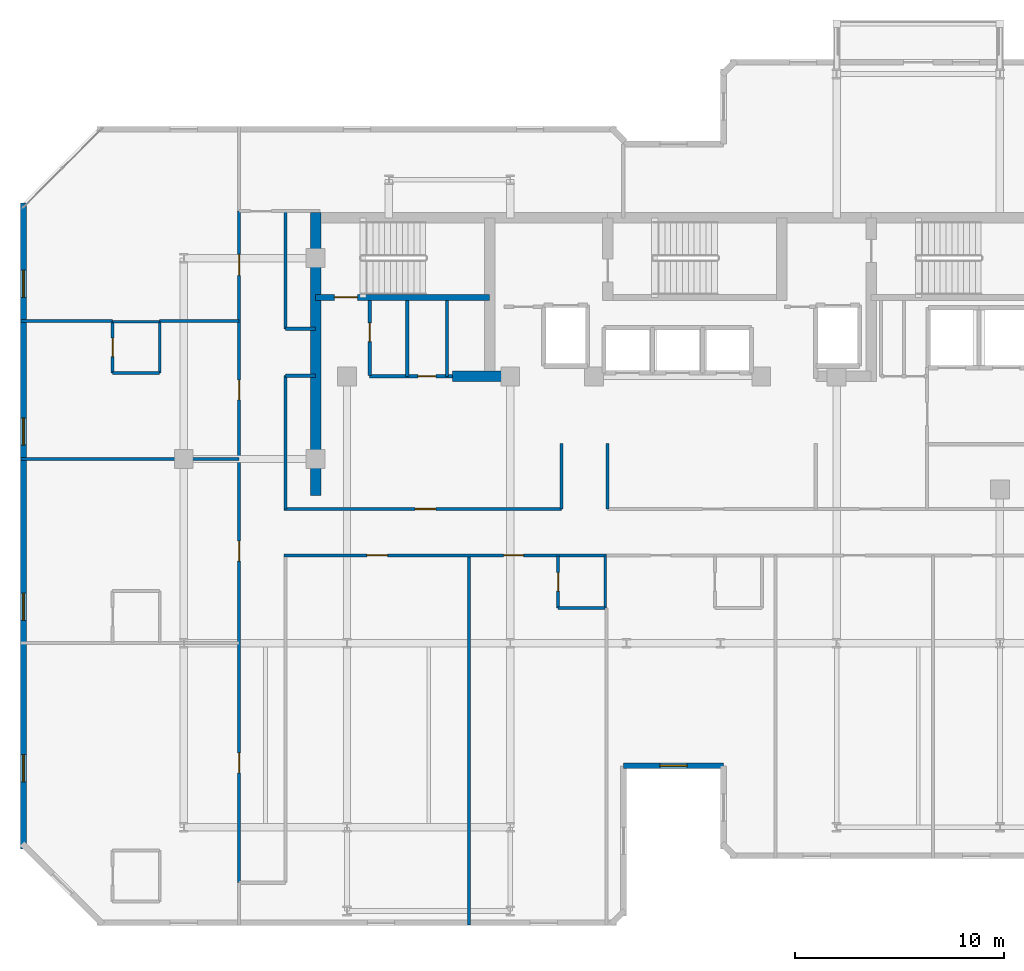
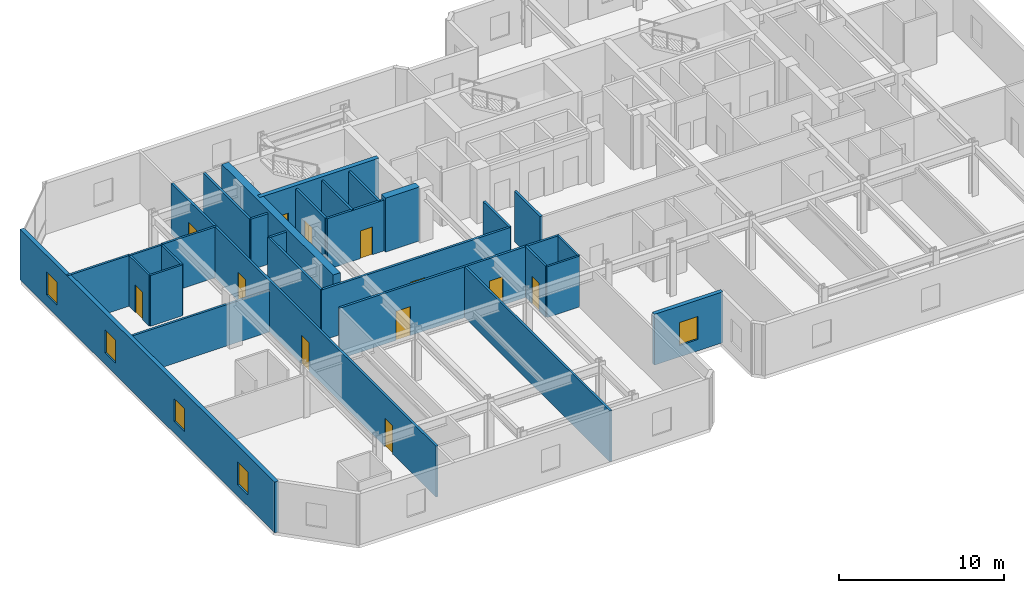
# One storey, part 4 of 9: 29 walls, 12 doors, 5 windows, 17 openings.
"""IFC4 building model written with IfcOpenShell, lengths in metres."""

from ifc_helpers import new_model, si_unit, direction, frame, frame_2d, origin, place, context, subcontext, project, spatial, rectangle, extrude, material, layer, layer_set, type_object, element, fill, save


model = new_model("IFC4")

# Units and contexts
model_context = context("Model", 3, precision=1e-05, world=origin(), true_north=direction((0.0, 1.0)))
body_context = subcontext(model_context, "Body", "Model", "MODEL_VIEW")
ifc_project = project(units=[si_unit("LENGTHUNIT", "METRE"), si_unit("AREAUNIT", "SQUARE_METRE"), si_unit("VOLUMEUNIT", "CUBIC_METRE"), si_unit("PLANEANGLEUNIT", "RADIAN"), si_unit("MASSUNIT", "GRAM", prefix="KILO")], contexts=[model_context])

# Site, building, storey
site_placement = place(None, origin())
site = spatial("IfcSite", under=ifc_project, at=site_placement, CompositionType="ELEMENT")
building_placement = place(site_placement, origin())
building = spatial("IfcBuilding", under=site, at=building_placement, Name="Kestravale Grand Hotel", CompositionType="ELEMENT")
storey_placement = place(building_placement, frame((0.0, 0.0, 257.39990234375)))
storey = spatial("IfcBuildingStorey", under=building, at=storey_placement, Name="L64", CompositionType="ELEMENT", Elevation=257.39990234375)

# Walls
ifc_material_1 = material(Name="Concrete f'c 50 MPa", Category="concrete")
ifc_layer_1 = layer(ifc_material_1, 0.5)
ifc_layer_set_1 = layer_set([ifc_layer_1], Name="EW-CORE-500")
wall_type_1 = type_object("IfcWallType", Name="EW-CORE-500", PredefinedType="SHEAR", material=ifc_layer_set_1)
wall_1_placement = place(storey_placement, frame((21.89990234375, 27.050048828125, 0.0), z_axis=(0.0, 0.0, 1.0), x_axis=(0.0, 1.0, 0.0)))
element("IfcWall", 1, at=wall_1_placement, inside=storey, type_object=wall_type_1, Name="L64 core shear wall W1", PredefinedType="SHEAR", context=body_context, shape_type="SweptSolid", body=[
    extrude(rectangle(XDim=13.52001953125, YDim=0.5, at=frame_2d((6.760009765625, 0.0))), origin(), (0.0, 0.0, 1.0), 4.0),
])
wall_2_placement = place(storey_placement, frame((28.449951171875, 32.75, 0.0), z_axis=(0.0, 0.0, 1.0), x_axis=(1.0, 0.0, 0.0)))
element("IfcWall", 2, at=wall_2_placement, inside=storey, type_object=wall_type_1, Name="L64 core shear wall S1", PredefinedType="SHEAR", context=body_context, shape_type="SweptSolid", body=[
    extrude(rectangle(XDim=2.400146484375, YDim=0.5, at=frame_2d((1.2001953125, 0.0))), origin(), (0.0, 0.0, 1.0), 4.0),
])

# Wall, opening, window
ifc_material_2 = material(Name="Precast concrete f'c 45 MPa", Category="concrete")
ifc_layer_2 = layer(ifc_material_2, 0.280029296875)
ifc_layer_set_2 = layer_set([ifc_layer_2], Name="EW-PREC-280")
wall_type_2 = type_object("IfcWallType", Name="EW-PREC-280", PredefinedType="SOLIDWALL", material=ifc_layer_set_2)
wall_3_placement = place(storey_placement, frame((36.610107421875, 14.139892578125, 0.0), z_axis=(0.0, 0.0, 1.0), x_axis=(1.0, 0.0, 0.0)))
wall_3 = element("IfcWall", 3, at=wall_3_placement, inside=storey, type_object=wall_type_2, Name="L64 fluted precast facade wall 4", PredefinedType="SOLIDWALL", context=body_context, shape_type="SweptSolid", body=[
    extrude(rectangle(XDim=4.77978515625, YDim=0.280029296875, at=frame_2d((2.389892578125, 0.0))), origin(), (0.0, 0.0, 1.0), 3.760009765625),
])
opening_1_placement = place(wall_3_placement, frame((1.739990234375, 0.0, 0.85009765625)))
opening_1 = element("IfcOpeningElement", 4, at=opening_1_placement, cuts=wall_3, Name="Opening W-GUEST-1300", PredefinedType="OPENING", context=body_context, shape_type="SweptSolid", body=[
    extrude(rectangle(XDim=1.300048828125, YDim=1.699951171875, at=frame_2d((0.64990234375, 0.85009765625))), frame((0.0, 0.14990234375, 0.0), z_axis=(0.0, -1.0, 0.0), x_axis=(1.0, 0.0, 0.0)), (0.0, 0.0, 1.0), 0.300048828125),
])
ifc_material_3 = material(Name="Insulated low-E double glazing in aluminium frame", Category="aluminium")
window_type = type_object("IfcWindowType", Name="W-GUEST-1300", PartitioningType="SINGLE_PANEL", PredefinedType="WINDOW", material=ifc_material_3)
window_1_placement = place(opening_1_placement, origin())
window_1 = element("IfcWindow", 5, at=window_1_placement, inside=storey, type_object=window_type, Name="L64 exterior window 4.1", OverallHeight=1.699951171875, OverallWidth=1.300048828125, PartitioningType="SINGLE_PANEL", PredefinedType="WINDOW", context=body_context, shape_type="SweptSolid", body=[
    extrude(rectangle(XDim=1.300048828125, YDim=1.699951171875, at=frame_2d((0.64990234375, 0.85009765625))), frame((0.0, 0.030029296875, 0.0), z_axis=(0.0, -1.0, 0.0), x_axis=(1.0, 0.0, 0.0)), (0.0, 0.0, 1.0), 0.06005859375),
])
fill(opening_1, window_1)

# Wall, openings, windows
wall_4_placement = place(storey_placement, frame((7.93994140625, 41.0400390625, 0.0), z_axis=(0.0, 0.0, 1.0), x_axis=(0.0, -1.0, 0.0)))
wall_4 = element("IfcWall", 6, at=wall_4_placement, inside=storey, type_object=wall_type_2, Name="L64 fluted precast facade wall 19", PredefinedType="SOLIDWALL", context=body_context, shape_type="SweptSolid", body=[
    extrude(rectangle(XDim=30.880126953125, YDim=0.280029296875, at=frame_2d((15.43994140625, 0.0))), origin(), (0.0, 0.0, 1.0), 3.760009765625),
])
opening_2_placement = place(wall_4_placement, frame((3.2099609375, 0.0, 0.85009765625)))
opening_2 = element("IfcOpeningElement", 7, at=opening_2_placement, cuts=wall_4, Name="Opening W-GUEST-1300", PredefinedType="OPENING", context=body_context, shape_type="SweptSolid", body=[
    extrude(rectangle(XDim=1.300048828125, YDim=1.699951171875, at=frame_2d((0.64990234375, 0.85009765625))), frame((0.0, 0.14990234375, 0.0), z_axis=(0.0, -1.0, 0.0), x_axis=(1.0, 0.0, 0.0)), (0.0, 0.0, 1.0), 0.300048828125),
])
opening_3_placement = place(wall_4_placement, frame((10.280029296875, 0.0, 0.85009765625)))
opening_3 = element("IfcOpeningElement", 8, at=opening_3_placement, cuts=wall_4, Name="Opening W-GUEST-1300", PredefinedType="OPENING", context=body_context, shape_type="SweptSolid", body=[
    extrude(rectangle(XDim=1.300048828125, YDim=1.699951171875, at=frame_2d((0.64990234375, 0.85009765625))), frame((0.0, 0.14990234375, 0.0), z_axis=(0.0, -1.0, 0.0), x_axis=(1.0, 0.0, 0.0)), (0.0, 0.0, 1.0), 0.300048828125),
])
opening_4_placement = place(wall_4_placement, frame((18.64990234375, 0.0, 0.85009765625)))
opening_4 = element("IfcOpeningElement", 9, at=opening_4_placement, cuts=wall_4, Name="Opening W-GUEST-1300", PredefinedType="OPENING", context=body_context, shape_type="SweptSolid", body=[
    extrude(rectangle(XDim=1.300048828125, YDim=1.699951171875, at=frame_2d((0.64990234375, 0.85009765625))), frame((0.0, 0.14990234375, 0.0), z_axis=(0.0, -1.0, 0.0), x_axis=(1.0, 0.0, 0.0)), (0.0, 0.0, 1.0), 0.300048828125),
])
opening_5_placement = place(wall_4_placement, frame((26.3701171875, 0.0, 0.85009765625)))
opening_5 = element("IfcOpeningElement", 10, at=opening_5_placement, cuts=wall_4, Name="Opening W-GUEST-1300", PredefinedType="OPENING", context=body_context, shape_type="SweptSolid", body=[
    extrude(rectangle(XDim=1.300048828125, YDim=1.699951171875, at=frame_2d((0.64990234375, 0.85009765625))), frame((0.0, 0.14990234375, 0.0), z_axis=(0.0, -1.0, 0.0), x_axis=(1.0, 0.0, 0.0)), (0.0, 0.0, 1.0), 0.300048828125),
])
window_2_placement = place(opening_2_placement, origin())
window_2 = element("IfcWindow", 11, at=window_2_placement, inside=storey, type_object=window_type, Name="L64 exterior window 19.1", OverallHeight=1.699951171875, OverallWidth=1.300048828125, PartitioningType="SINGLE_PANEL", PredefinedType="WINDOW", context=body_context, shape_type="SweptSolid", body=[
    extrude(rectangle(XDim=1.300048828125, YDim=1.699951171875, at=frame_2d((0.64990234375, 0.85009765625))), frame((0.0, 0.030029296875, 0.0), z_axis=(0.0, -1.0, 0.0), x_axis=(1.0, 0.0, 0.0)), (0.0, 0.0, 1.0), 0.06005859375),
])
fill(opening_2, window_2)
window_3_placement = place(opening_3_placement, origin())
window_3 = element("IfcWindow", 12, at=window_3_placement, inside=storey, type_object=window_type, Name="L64 exterior window 19.2", OverallHeight=1.699951171875, OverallWidth=1.300048828125, PartitioningType="SINGLE_PANEL", PredefinedType="WINDOW", context=body_context, shape_type="SweptSolid", body=[
    extrude(rectangle(XDim=1.300048828125, YDim=1.699951171875, at=frame_2d((0.64990234375, 0.85009765625))), frame((0.0, 0.030029296875, 0.0), z_axis=(0.0, -1.0, 0.0), x_axis=(1.0, 0.0, 0.0)), (0.0, 0.0, 1.0), 0.06005859375),
])
fill(opening_3, window_3)
window_4_placement = place(opening_4_placement, origin())
window_4 = element("IfcWindow", 13, at=window_4_placement, inside=storey, type_object=window_type, Name="L64 exterior window 19.3", OverallHeight=1.699951171875, OverallWidth=1.300048828125, PartitioningType="SINGLE_PANEL", PredefinedType="WINDOW", context=body_context, shape_type="SweptSolid", body=[
    extrude(rectangle(XDim=1.300048828125, YDim=1.699951171875, at=frame_2d((0.64990234375, 0.85009765625))), frame((0.0, 0.030029296875, 0.0), z_axis=(0.0, -1.0, 0.0), x_axis=(1.0, 0.0, 0.0)), (0.0, 0.0, 1.0), 0.06005859375),
])
fill(opening_4, window_4)
window_5_placement = place(opening_5_placement, origin())
window_5 = element("IfcWindow", 14, at=window_5_placement, inside=storey, type_object=window_type, Name="L64 exterior window 19.4", OverallHeight=1.699951171875, OverallWidth=1.300048828125, PartitioningType="SINGLE_PANEL", PredefinedType="WINDOW", context=body_context, shape_type="SweptSolid", body=[
    extrude(rectangle(XDim=1.300048828125, YDim=1.699951171875, at=frame_2d((0.64990234375, 0.85009765625))), frame((0.0, 0.030029296875, 0.0), z_axis=(0.0, -1.0, 0.0), x_axis=(1.0, 0.0, 0.0)), (0.0, 0.0, 1.0), 0.06005859375),
])
fill(opening_5, window_5)

# Wall, opening, door
ifc_material_4 = material(Name="Concrete f'c 45 MPa", Category="concrete")
ifc_layer_3 = layer(ifc_material_4, 0.300048828125)
ifc_layer_set_3 = layer_set([ifc_layer_3], Name="EW-STAIR-300")
wall_type_3 = type_object("IfcWallType", Name="EW-STAIR-300", PredefinedType="SHEAR", material=ifc_layer_set_3)
wall_5_placement = place(storey_placement, frame((21.89990234375, 36.52001953125, 0.0), z_axis=(0.0, 0.0, 1.0), x_axis=(1.0, 0.0, 0.0)))
wall_5 = element("IfcWall", 15, at=wall_5_placement, inside=storey, type_object=wall_type_3, Name="L64 stair enclosure shear wall SST1", PredefinedType="SHEAR", context=body_context, shape_type="SweptSolid", body=[
    extrude(rectangle(XDim=8.320068359375, YDim=0.300048828125, at=frame_2d((4.16015625, 0.0))), origin(), (0.0, 0.0, 1.0), 4.0),
])
opening_6_placement = place(wall_5_placement, frame((0.89990234375, 0.0, 0.0)))
opening_6 = element("IfcOpeningElement", 16, at=opening_6_placement, cuts=wall_5, Name="Opening D-ST-1100", PredefinedType="OPENING", context=body_context, shape_type="SweptSolid", body=[
    extrude(rectangle(XDim=1.10009765625, YDim=2.14990234375, at=frame_2d((0.550048828125, 1.074951171875))), frame((0.0, 0.159912109375, 0.0), z_axis=(0.0, -1.0, 0.0), x_axis=(1.0, 0.0, 0.0)), (0.0, 0.0, 1.0), 0.320068359375),
])
ifc_material_5 = material(Name="Galvanised 90-minute fire-rated steel stair door", Category="steel")
door_type_1 = type_object("IfcDoorType", Name="D-ST-1100", OperationType="NOTDEFINED", PredefinedType="DOOR", material=ifc_material_5)
door_1_placement = place(opening_6_placement, origin())
door_1 = element("IfcDoor", 17, at=door_1_placement, inside=storey, type_object=door_type_1, Name="L64 Stair ST-1 fire door", OperationType="SINGLE_SWING_RIGHT", OverallHeight=2.14990234375, OverallWidth=1.10009765625, PredefinedType="DOOR", context=body_context, shape_type="SweptSolid", body=[
    extrude(rectangle(XDim=1.10009765625, YDim=2.14990234375, at=frame_2d((0.550048828125, 1.074951171875))), frame((0.0, 0.02490234375, 0.0), z_axis=(0.0, -1.0, 0.0), x_axis=(1.0, 0.0, 0.0)), (0.0, 0.0, 1.0), 0.050048828125),
])
fill(opening_6, door_1)

ifc_material_6 = material(Name="Acoustic fire-rated gypsum board partition", Category="other")
ifc_layer_4 = layer(ifc_material_6, 0.159912109375)
ifc_layer_set_4 = layer_set([ifc_layer_4], Name="IW-CORR-160")
wall_type_4 = type_object("IfcWallType", Name="IW-CORR-160", PredefinedType="PARTITIONING", material=ifc_layer_set_4)
wall_6_placement = place(storey_placement, frame((24.47998046875, 32.800048828125, 0.0), z_axis=(0.0, 0.0, 1.0), x_axis=(0.0, 1.0, 0.0)))
wall_6 = element("IfcWall", 18, at=wall_6_placement, inside=storey, type_object=wall_type_4, Name="L64 west core vestibule wall", PredefinedType="PARTITIONING", context=body_context, shape_type="SweptSolid", body=[
    extrude(rectangle(XDim=3.570068359375, YDim=0.159912109375, at=frame_2d((1.78515625, 0.0))), origin(), (0.0, 0.0, 1.0), 3.760009765625),
])
opening_7_placement = place(wall_6_placement, frame((1.603515625, 0.0, 0.0)))
opening_7 = element("IfcOpeningElement", 19, at=opening_7_placement, cuts=wall_6, Name="Opening D-SH-900", PredefinedType="OPENING", context=body_context, shape_type="SweptSolid", body=[
    extrude(rectangle(XDim=0.89990234375, YDim=2.10009765625, at=frame_2d((0.449951171875, 1.050048828125))), frame((0.0, 0.08984375, 0.0), z_axis=(0.0, -1.0, 0.0), x_axis=(1.0, 0.0, 0.0)), (0.0, 0.0, 1.0), 0.179931640625),
])
ifc_material_7 = material(Name="Galvanised 90-minute shaft and service fire door", Category="steel")
door_type_2 = type_object("IfcDoorType", Name="D-SH-900", OperationType="NOTDEFINED", PredefinedType="DOOR", material=ifc_material_7)
door_2_placement = place(opening_7_placement, origin())
door_2 = element("IfcDoor", 20, at=door_2_placement, inside=storey, type_object=door_type_2, Name="D-L64-HK", OperationType="SINGLE_SWING_RIGHT", OverallHeight=2.10009765625, OverallWidth=0.89990234375, PredefinedType="DOOR", context=body_context, shape_type="SweptSolid", body=[
    extrude(rectangle(XDim=0.89990234375, YDim=2.10009765625, at=frame_2d((0.449951171875, 1.050048828125))), frame((0.0, 0.02490234375, 0.0), z_axis=(0.0, -1.0, 0.0), x_axis=(1.0, 0.0, 0.0)), (0.0, 0.0, 1.0), 0.050048828125),
])
fill(opening_7, door_2)

wall_7_placement = place(storey_placement, frame((24.47998046875, 32.75, 0.0), z_axis=(0.0, 0.0, 1.0), x_axis=(1.0, 0.0, 0.0)))
wall_7 = element("IfcWall", 21, at=wall_7_placement, inside=storey, type_object=wall_type_4, Name="W-L64-CWS", PredefinedType="PARTITIONING", context=body_context, shape_type="SweptSolid", body=[
    extrude(rectangle(XDim=3.969970703125, YDim=0.159912109375, at=frame_2d((1.98486328125, 0.0))), origin(), (0.0, 0.0, 1.0), 3.760009765625),
])
opening_8_placement = place(wall_7_placement, frame((2.31005859375, 0.0, 0.0)))
opening_8 = element("IfcOpeningElement", 22, at=opening_8_placement, cuts=wall_7, Name="Opening D-SH-860", PredefinedType="OPENING", context=body_context, shape_type="SweptSolid", body=[
    extrude(rectangle(XDim=0.860107421875, YDim=2.050048828125, at=frame_2d((0.43017578125, 1.02490234375))), frame((0.0, 0.08984375, 0.0), z_axis=(0.0, -1.0, 0.0), x_axis=(1.0, 0.0, 0.0)), (0.0, 0.0, 1.0), 0.179931640625),
])
ifc_material_8 = material(Name="Galvanised 90-minute riser fire door", Category="steel")
door_type_3 = type_object("IfcDoorType", Name="D-SH-860", OperationType="NOTDEFINED", PredefinedType="DOOR", material=ifc_material_8)
door_3_placement = place(opening_8_placement, origin())
door_3 = element("IfcDoor", 23, at=door_3_placement, inside=storey, type_object=door_type_3, Name="D-L64-IDF", OperationType="SINGLE_SWING_RIGHT", OverallHeight=2.050048828125, OverallWidth=0.860107421875, PredefinedType="DOOR", context=body_context, shape_type="SweptSolid", body=[
    extrude(rectangle(XDim=0.860107421875, YDim=2.050048828125, at=frame_2d((0.43017578125, 1.02490234375))), frame((0.0, 0.02490234375, 0.0), z_axis=(0.0, -1.0, 0.0), x_axis=(1.0, 0.0, 0.0)), (0.0, 0.0, 1.0), 0.050048828125),
])
fill(opening_8, door_3)

wall_8_placement = place(storey_placement, frame((20.39990234375, 26.409912109375, 0.0), z_axis=(0.0, 0.0, 1.0), x_axis=(1.0, 0.0, 0.0)))
wall_8 = element("IfcWall", 24, at=wall_8_placement, inside=storey, type_object=wall_type_4, Name="W-L64-CW-N", PredefinedType="PARTITIONING", context=body_context, shape_type="SweptSolid", body=[
    extrude(rectangle(XDim=13.25, YDim=0.159912109375, at=frame_2d((6.625, 0.0))), origin(), (0.0, 0.0, 1.0), 3.760009765625),
])
opening_9_placement = place(wall_8_placement, frame((6.25, 0.0, 0.0)))
opening_9 = element("IfcOpeningElement", 25, at=opening_9_placement, cuts=wall_8, Name="Opening D-GUEST-1000", PredefinedType="OPENING", context=body_context, shape_type="SweptSolid", body=[
    extrude(rectangle(XDim=1.0, YDim=2.14990234375, at=frame_2d((0.5, 1.074951171875))), frame((0.0, 0.08984375, 0.0), z_axis=(0.0, -1.0, 0.0), x_axis=(1.0, 0.0, 0.0)), (0.0, 0.0, 1.0), 0.179931640625),
])
ifc_material_9 = material(Name="Accessible walnut veneer hotel entrance fire door", Category="wood")
door_type_4 = type_object("IfcDoorType", Name="D-GUEST-1000", OperationType="NOTDEFINED", PredefinedType="DOOR", material=ifc_material_9)
door_4_placement = place(opening_9_placement, origin())
door_4 = element("IfcDoor", 26, at=door_4_placement, inside=storey, type_object=door_type_4, Name="D-L64-RECL-W", OperationType="SINGLE_SWING_LEFT", OverallHeight=2.14990234375, OverallWidth=1.0, PredefinedType="DOOR", context=body_context, shape_type="SweptSolid", body=[
    extrude(rectangle(XDim=1.0, YDim=2.14990234375, at=frame_2d((0.5, 1.074951171875))), frame((0.0, 0.02490234375, 0.0), z_axis=(0.0, -1.0, 0.0), x_axis=(1.0, 0.0, 0.0)), (0.0, 0.0, 1.0), 0.050048828125),
])
fill(opening_9, door_4)

# Walls
for number, where, z_axis, x_axis, name in (
    (27, (33.64990234375, 26.409912109375, 0.0), (0.0, 0.0, 1.0), (0.0, 1.0, 0.0), "W-L64-TRUNK-W"),
    (28, (35.85009765625, 26.409912109375, 0.0), (0.0, 0.0, 1.0), (0.0, 1.0, 0.0), "W-L64-TRUNK-E"),
):
    element("IfcWall", number, at=place(storey_placement, frame(where, z_axis=z_axis, x_axis=x_axis)), inside=storey, type_object=wall_type_4, Name=name, PredefinedType="PARTITIONING", context=body_context, shape_type="SweptSolid", body=[
        extrude(rectangle(XDim=3.14013671875, YDim=0.159912109375, at=frame_2d((1.570068359375, 0.0))), origin(), (0.0, 0.0, 1.0), 3.760009765625),
    ])

# Wall, openings, doors
wall_9_placement = place(storey_placement, frame((20.39990234375, 24.18994140625, 0.0), z_axis=(0.0, 0.0, 1.0), x_axis=(1.0, 0.0, 0.0)))
wall_9 = element("IfcWall", 29, at=wall_9_placement, inside=storey, type_object=wall_type_4, Name="W-L64-CW-S", PredefinedType="PARTITIONING", context=body_context, shape_type="SweptSolid", body=[
    extrude(rectangle(XDim=15.400146484375, YDim=0.159912109375, at=frame_2d((7.7001953125, 0.0))), origin(), (0.0, 0.0, 1.0), 3.760009765625),
])
opening_10_placement = place(wall_9_placement, frame((3.945068359375, 0.0, 0.0)))
opening_10 = element("IfcOpeningElement", 30, at=opening_10_placement, cuts=wall_9, Name="Opening D-GUEST-1000", PredefinedType="OPENING", context=body_context, shape_type="SweptSolid", body=[
    extrude(rectangle(XDim=1.0, YDim=2.14990234375, at=frame_2d((0.5, 1.074951171875))), frame((0.0, 0.08984375, 0.0), z_axis=(0.0, -1.0, 0.0), x_axis=(1.0, 0.0, 0.0)), (0.0, 0.0, 1.0), 0.179931640625),
])
opening_11_placement = place(wall_9_placement, frame((10.485107421875, 0.0, 0.0)))
opening_11 = element("IfcOpeningElement", 31, at=opening_11_placement, cuts=wall_9, Name="Opening D-GUEST-950", PredefinedType="OPENING", context=body_context, shape_type="SweptSolid", body=[
    extrude(rectangle(XDim=0.949951171875, YDim=2.10009765625, at=frame_2d((0.47509765625, 1.050048828125))), frame((0.0, 0.08984375, 0.0), z_axis=(0.0, -1.0, 0.0), x_axis=(1.0, 0.0, 0.0)), (0.0, 0.0, 1.0), 0.179931640625),
])
door_5_placement = place(opening_10_placement, origin())
door_5 = element("IfcDoor", 32, at=door_5_placement, inside=storey, type_object=door_type_4, Name="D-L64-AMW", OperationType="SINGLE_SWING_RIGHT", OverallHeight=2.14990234375, OverallWidth=1.0, PredefinedType="DOOR", context=body_context, shape_type="SweptSolid", body=[
    extrude(rectangle(XDim=1.0, YDim=2.14990234375, at=frame_2d((0.5, 1.074951171875))), frame((0.0, 0.02490234375, 0.0), z_axis=(0.0, -1.0, 0.0), x_axis=(1.0, 0.0, 0.0)), (0.0, 0.0, 1.0), 0.050048828125),
])
fill(opening_10, door_5)
ifc_material_10 = material(Name="Walnut veneer hotel guestroom entrance fire door", Category="wood")
door_type_5 = type_object("IfcDoorType", Name="D-GUEST-950", OperationType="NOTDEFINED", PredefinedType="DOOR", material=ifc_material_10)
door_6_placement = place(opening_11_placement, origin())
door_6 = element("IfcDoor", 33, at=door_6_placement, inside=storey, type_object=door_type_5, Name="D-L64-U01-ENT", OperationType="SINGLE_SWING_RIGHT", OverallHeight=2.10009765625, OverallWidth=0.949951171875, PredefinedType="DOOR", context=body_context, shape_type="SweptSolid", body=[
    extrude(rectangle(XDim=0.949951171875, YDim=2.10009765625, at=frame_2d((0.47509765625, 1.050048828125))), frame((0.0, 0.02490234375, 0.0), z_axis=(0.0, -1.0, 0.0), x_axis=(1.0, 0.0, 0.0)), (0.0, 0.0, 1.0), 0.050048828125),
])
fill(opening_11, door_6)

wall_10_placement = place(storey_placement, frame((18.239990234375, 8.550048828125, 0.0), z_axis=(0.0, 0.0, 1.0), x_axis=(0.0, 1.0, 0.0)))
wall_10 = element("IfcWall", 34, at=wall_10_placement, inside=storey, type_object=wall_type_4, Name="W-L64-SW-W", PredefinedType="PARTITIONING", context=body_context, shape_type="SweptSolid", body=[
    extrude(rectangle(XDim=32.099853515625, YDim=0.159912109375, at=frame_2d((16.0498046875, 0.0))), origin(), (0.0, 0.0, 1.0), 3.760009765625),
])
opening_12_placement = place(wall_10_placement, frame((5.25, 0.0, 0.0)))
opening_12 = element("IfcOpeningElement", 35, at=opening_12_placement, cuts=wall_10, Name="Opening D-GUEST-950", PredefinedType="OPENING", context=body_context, shape_type="SweptSolid", body=[
    extrude(rectangle(XDim=0.949951171875, YDim=2.10009765625, at=frame_2d((0.47509765625, 1.050048828125))), frame((0.0, 0.08984375, 0.0), z_axis=(0.0, -1.0, 0.0), x_axis=(1.0, 0.0, 0.0)), (0.0, 0.0, 1.0), 0.179931640625),
])
opening_13_placement = place(wall_10_placement, frame((15.375, 0.0, 0.0)))
opening_13 = element("IfcOpeningElement", 36, at=opening_13_placement, cuts=wall_10, Name="Opening D-GUEST-950", PredefinedType="OPENING", context=body_context, shape_type="SweptSolid", body=[
    extrude(rectangle(XDim=0.949951171875, YDim=2.10009765625, at=frame_2d((0.47509765625, 1.050048828125))), frame((0.0, 0.08984375, 0.0), z_axis=(0.0, -1.0, 0.0), x_axis=(1.0, 0.0, 0.0)), (0.0, 0.0, 1.0), 0.179931640625),
])
opening_14_placement = place(wall_10_placement, frame((23.074951171875, 0.0, 0.0)))
opening_14 = element("IfcOpeningElement", 37, at=opening_14_placement, cuts=wall_10, Name="Opening D-GUEST-950", PredefinedType="OPENING", context=body_context, shape_type="SweptSolid", body=[
    extrude(rectangle(XDim=0.949951171875, YDim=2.10009765625, at=frame_2d((0.47509765625, 1.050048828125))), frame((0.0, 0.08984375, 0.0), z_axis=(0.0, -1.0, 0.0), x_axis=(1.0, 0.0, 0.0)), (0.0, 0.0, 1.0), 0.179931640625),
])
opening_15_placement = place(wall_10_placement, frame((29.030029296875, 0.0, 0.0)))
opening_15 = element("IfcOpeningElement", 38, at=opening_15_placement, cuts=wall_10, Name="Opening D-GUEST-1000", PredefinedType="OPENING", context=body_context, shape_type="SweptSolid", body=[
    extrude(rectangle(XDim=1.0, YDim=2.14990234375, at=frame_2d((0.5, 1.074951171875))), frame((0.0, 0.08984375, 0.0), z_axis=(0.0, -1.0, 0.0), x_axis=(1.0, 0.0, 0.0)), (0.0, 0.0, 1.0), 0.179931640625),
])
door_7_placement = place(opening_15_placement, origin())
door_7 = element("IfcDoor", 39, at=door_7_placement, inside=storey, type_object=door_type_4, Name="D-L64-AMWW", OperationType="SINGLE_SWING_RIGHT", OverallHeight=2.14990234375, OverallWidth=1.0, PredefinedType="DOOR", context=body_context, shape_type="SweptSolid", body=[
    extrude(rectangle(XDim=1.0, YDim=2.14990234375, at=frame_2d((0.5, 1.074951171875))), frame((0.0, 0.02490234375, 0.0), z_axis=(0.0, -1.0, 0.0), x_axis=(1.0, 0.0, 0.0)), (0.0, 0.0, 1.0), 0.050048828125),
])
fill(opening_15, door_7)
door_8_placement = place(opening_12_placement, origin())
door_8 = element("IfcDoor", 40, at=door_8_placement, inside=storey, type_object=door_type_5, Name="D-L64-U04-ENT", OperationType="SINGLE_SWING_LEFT", OverallHeight=2.10009765625, OverallWidth=0.949951171875, PredefinedType="DOOR", context=body_context, shape_type="SweptSolid", body=[
    extrude(rectangle(XDim=0.949951171875, YDim=2.10009765625, at=frame_2d((0.47509765625, 1.050048828125))), frame((0.0, 0.02490234375, 0.0), z_axis=(0.0, -1.0, 0.0), x_axis=(1.0, 0.0, 0.0)), (0.0, 0.0, 1.0), 0.050048828125),
])
fill(opening_12, door_8)
door_9_placement = place(opening_13_placement, origin())
door_9 = element("IfcDoor", 41, at=door_9_placement, inside=storey, type_object=door_type_5, Name="D-L64-U05-ENT", OperationType="SINGLE_SWING_LEFT", OverallHeight=2.10009765625, OverallWidth=0.949951171875, PredefinedType="DOOR", context=body_context, shape_type="SweptSolid", body=[
    extrude(rectangle(XDim=0.949951171875, YDim=2.10009765625, at=frame_2d((0.47509765625, 1.050048828125))), frame((0.0, 0.02490234375, 0.0), z_axis=(0.0, -1.0, 0.0), x_axis=(1.0, 0.0, 0.0)), (0.0, 0.0, 1.0), 0.050048828125),
])
fill(opening_13, door_9)
door_10_placement = place(opening_14_placement, origin())
door_10 = element("IfcDoor", 42, at=door_10_placement, inside=storey, type_object=door_type_5, Name="D-L64-U06-ENT", OperationType="SINGLE_SWING_LEFT", OverallHeight=2.10009765625, OverallWidth=0.949951171875, PredefinedType="DOOR", context=body_context, shape_type="SweptSolid", body=[
    extrude(rectangle(XDim=0.949951171875, YDim=2.10009765625, at=frame_2d((0.47509765625, 1.050048828125))), frame((0.0, 0.02490234375, 0.0), z_axis=(0.0, -1.0, 0.0), x_axis=(1.0, 0.0, 0.0)), (0.0, 0.0, 1.0), 0.050048828125),
])
fill(opening_14, door_10)

# Walls
wall_11_placement = place(storey_placement, frame((20.4599609375, 35.02001953125, 0.0), z_axis=(0.0, 0.0, 1.0), x_axis=(0.0, 1.0, 0.0)))
element("IfcWall", 43, at=wall_11_placement, inside=storey, type_object=wall_type_4, Name="W-L64-SW-EN", PredefinedType="PARTITIONING", context=body_context, shape_type="SweptSolid", body=[
    extrude(rectangle(XDim=5.6298828125, YDim=0.159912109375, at=frame_2d((2.81494140625, 0.0))), origin(), (0.0, 0.0, 1.0), 3.760009765625),
])
for number, where, z_axis, x_axis, name in (
    (44, (20.4599609375, 35.02001953125, 0.0), (0.0, 0.0, 1.0), (1.0, 0.0, 0.0), "W-L64-SW-CN"),
    (45, (20.4599609375, 32.780029296875, 0.0), (0.0, 0.0, 1.0), (1.0, 0.0, 0.0), "W-L64-SW-CS"),
):
    element("IfcWall", number, at=place(storey_placement, frame(where, z_axis=z_axis, x_axis=x_axis)), inside=storey, type_object=wall_type_4, Name=name, PredefinedType="PARTITIONING", context=body_context, shape_type="SweptSolid", body=[
        extrude(rectangle(XDim=1.43994140625, YDim=0.159912109375, at=frame_2d((0.719970703125, 0.0))), origin(), (0.0, 0.0, 1.0), 3.760009765625),
    ])

# Wall, opening, door
ifc_material_11 = material(Name="Moisture-resistant tile-backer plumbing chase wall", Category="other")
ifc_layer_5 = layer(ifc_material_11, 0.139892578125)
ifc_layer_set_5 = layer_set([ifc_layer_5], Name="IW-PLB-140")
wall_type_5 = type_object("IfcWallType", Name="IW-PLB-140", PredefinedType="PLUMBINGWALL", material=ifc_layer_set_5)
wall_12_placement = place(storey_placement, frame((33.489990234375, 21.679931640625, 0.0), z_axis=(0.0, 0.0, 1.0), x_axis=(0.0, 1.0, 0.0)))
wall_12 = element("IfcWall", 46, at=wall_12_placement, inside=storey, type_object=wall_type_5, Name="W-L64-U01-BW", PredefinedType="PLUMBINGWALL", context=body_context, shape_type="SweptSolid", body=[
    extrude(rectangle(XDim=2.489990234375, YDim=0.139892578125, at=frame_2d((1.2451171875, 0.0))), origin(), (0.0, 0.0, 1.0), 3.760009765625),
])
opening_16_placement = place(wall_12_placement, frame((0.804931640625, 0.0, 0.0)))
opening_16 = element("IfcOpeningElement", 47, at=opening_16_placement, cuts=wall_12, Name="Opening D-BATH-880", PredefinedType="OPENING", context=body_context, shape_type="SweptSolid", body=[
    extrude(rectangle(XDim=0.8798828125, YDim=2.050048828125, at=frame_2d((0.43994140625, 1.02490234375))), frame((0.0, 0.079833984375, 0.0), z_axis=(0.0, -1.0, 0.0), x_axis=(1.0, 0.0, 0.0)), (0.0, 0.0, 1.0), 0.159912109375),
])
ifc_material_12 = material(Name="Moisture-sealed walnut en-suite bathroom door", Category="wood")
door_type_6 = type_object("IfcDoorType", Name="D-BATH-880", OperationType="NOTDEFINED", PredefinedType="DOOR", material=ifc_material_12)
door_11_placement = place(opening_16_placement, origin())
door_11 = element("IfcDoor", 48, at=door_11_placement, inside=storey, type_object=door_type_6, Name="D-L64-U01-BATH", OperationType="SINGLE_SWING_LEFT", OverallHeight=2.050048828125, OverallWidth=0.8798828125, PredefinedType="DOOR", context=body_context, shape_type="SweptSolid", body=[
    extrude(rectangle(XDim=0.8798828125, YDim=2.050048828125, at=frame_2d((0.43994140625, 1.02490234375))), frame((0.0, 0.02490234375, 0.0), z_axis=(0.0, -1.0, 0.0), x_axis=(1.0, 0.0, 0.0)), (0.0, 0.0, 1.0), 0.050048828125),
])
fill(opening_16, door_11)

# Walls
wall_13_placement = place(storey_placement, frame((35.739990234375, 21.679931640625, 0.0), z_axis=(0.0, 0.0, 1.0), x_axis=(0.0, 1.0, 0.0)))
element("IfcWall", 49, at=wall_13_placement, inside=storey, type_object=wall_type_5, Name="W-L64-U01-BE", PredefinedType="PLUMBINGWALL", context=body_context, shape_type="SweptSolid", body=[
    extrude(rectangle(XDim=2.489990234375, YDim=0.139892578125, at=frame_2d((1.2451171875, 0.0))), origin(), (0.0, 0.0, 1.0), 3.760009765625),
])
wall_14_placement = place(storey_placement, frame((33.489990234375, 21.679931640625, 0.0), z_axis=(0.0, 0.0, 1.0), x_axis=(1.0, 0.0, 0.0)))
element("IfcWall", 50, at=wall_14_placement, inside=storey, type_object=wall_type_5, Name="W-L64-U01-BS", PredefinedType="PLUMBINGWALL", context=body_context, shape_type="SweptSolid", body=[
    extrude(rectangle(XDim=2.25, YDim=0.139892578125, at=frame_2d((1.125, 0.0))), origin(), (0.0, 0.0, 1.0), 3.760009765625),
])

# Wall, opening, door
wall_15_placement = place(storey_placement, frame((12.199951171875, 32.909912109375, 0.0), z_axis=(0.0, 0.0, 1.0), x_axis=(0.0, 1.0, 0.0)))
wall_15 = element("IfcWall", 51, at=wall_15_placement, inside=storey, type_object=wall_type_5, Name="W-L64-U06-BW", PredefinedType="PLUMBINGWALL", context=body_context, shape_type="SweptSolid", body=[
    extrude(rectangle(XDim=2.4501953125, YDim=0.139892578125, at=frame_2d((1.22509765625, 0.0))), origin(), (0.0, 0.0, 1.0), 3.760009765625),
])
opening_17_placement = place(wall_15_placement, frame((0.784912109375, 0.0, 0.0)))
opening_17 = element("IfcOpeningElement", 52, at=opening_17_placement, cuts=wall_15, Name="Opening D-BATH-880", PredefinedType="OPENING", context=body_context, shape_type="SweptSolid", body=[
    extrude(rectangle(XDim=0.8798828125, YDim=2.050048828125, at=frame_2d((0.43994140625, 1.02490234375))), frame((0.0, 0.079833984375, 0.0), z_axis=(0.0, -1.0, 0.0), x_axis=(1.0, 0.0, 0.0)), (0.0, 0.0, 1.0), 0.159912109375),
])
door_12_placement = place(opening_17_placement, origin())
door_12 = element("IfcDoor", 53, at=door_12_placement, inside=storey, type_object=door_type_6, Name="D-L64-U06-BATH", OperationType="SINGLE_SWING_RIGHT", OverallHeight=2.050048828125, OverallWidth=0.8798828125, PredefinedType="DOOR", context=body_context, shape_type="SweptSolid", body=[
    extrude(rectangle(XDim=0.8798828125, YDim=2.050048828125, at=frame_2d((0.43994140625, 1.02490234375))), frame((0.0, 0.02490234375, 0.0), z_axis=(0.0, -1.0, 0.0), x_axis=(1.0, 0.0, 0.0)), (0.0, 0.0, 1.0), 0.050048828125),
])
fill(opening_17, door_12)

# Walls
wall_16_placement = place(storey_placement, frame((14.449951171875, 32.909912109375, 0.0), z_axis=(0.0, 0.0, 1.0), x_axis=(0.0, 1.0, 0.0)))
element("IfcWall", 54, at=wall_16_placement, inside=storey, type_object=wall_type_5, Name="W-L64-U06-BE", PredefinedType="PLUMBINGWALL", context=body_context, shape_type="SweptSolid", body=[
    extrude(rectangle(XDim=2.4501953125, YDim=0.139892578125, at=frame_2d((1.22509765625, 0.0))), origin(), (0.0, 0.0, 1.0), 3.760009765625),
])
for number, where, z_axis, x_axis, name in (
    (55, (12.199951171875, 32.909912109375, 0.0), (0.0, 0.0, 1.0), (1.0, 0.0, 0.0), "W-L64-U06-BS"),
    (56, (12.199951171875, 35.360107421875, 0.0), (0.0, 0.0, 1.0), (1.0, 0.0, 0.0), "W-L64-U06-BN"),
):
    element("IfcWall", number, at=place(storey_placement, frame(where, z_axis=z_axis, x_axis=x_axis)), inside=storey, type_object=wall_type_5, Name=name, PredefinedType="PLUMBINGWALL", context=body_context, shape_type="SweptSolid", body=[
        extrude(rectangle(XDim=2.25, YDim=0.139892578125, at=frame_2d((1.125, 0.0))), origin(), (0.0, 0.0, 1.0), 3.760009765625),
    ])
ifc_material_13 = material(Name="Double-stud STC 52 acoustic demising partition", Category="other")
ifc_layer_6 = layer(ifc_material_13, 0.14990234375)
ifc_layer_set_6 = layer_set([ifc_layer_6], Name="IW-UNIT-150")
wall_type_6 = type_object("IfcWallType", Name="IW-UNIT-150", PredefinedType="PARTITIONING", material=ifc_layer_set_6)
for number, where, z_axis, x_axis, name in (
    (57, (26.280029296875, 32.75, 0.0), (0.0, 0.0, 1.0), (0.0, 1.0, 0.0), "W-L64-CC1-1"),
    (58, (28.179931640625, 32.75, 0.0), (0.0, 0.0, 1.0), (0.0, 1.0, 0.0), "W-L64-CC1-2"),
):
    element("IfcWall", number, at=place(storey_placement, frame(where, z_axis=z_axis, x_axis=x_axis)), inside=storey, type_object=wall_type_6, Name=name, PredefinedType="PARTITIONING", context=body_context, shape_type="SweptSolid", body=[
        extrude(rectangle(XDim=3.6201171875, YDim=0.14990234375, at=frame_2d((1.81005859375, 0.0))), origin(), (0.0, 0.0, 1.0), 3.760009765625),
    ])
wall_17_placement = place(storey_placement, frame((20.4599609375, 26.409912109375, 0.0), z_axis=(0.0, 0.0, 1.0), x_axis=(0.0, 1.0, 0.0)))
element("IfcWall", 59, at=wall_17_placement, inside=storey, type_object=wall_type_6, Name="W-L64-RCLW-W", PredefinedType="PARTITIONING", context=body_context, shape_type="SweptSolid", body=[
    extrude(rectangle(XDim=6.39013671875, YDim=0.14990234375, at=frame_2d((3.195068359375, 0.0))), origin(), (0.0, 0.0, 1.0), 3.760009765625),
])
wall_18_placement = place(storey_placement, frame((29.22998046875, 6.52001953125, 0.0), z_axis=(0.0, 0.0, 1.0), x_axis=(0.0, 1.0, 0.0)))
element("IfcWall", 60, at=wall_18_placement, inside=storey, type_object=wall_type_6, Name="W-L64-WS-1", PredefinedType="PARTITIONING", context=body_context, shape_type="SweptSolid", body=[
    extrude(rectangle(XDim=17.669921875, YDim=0.14990234375, at=frame_2d((8.8349609375, 0.0))), origin(), (0.0, 0.0, 1.0), 3.760009765625),
])
wall_19_placement = place(storey_placement, frame((7.820068359375, 28.800048828125, 0.0), z_axis=(0.0, 0.0, 1.0), x_axis=(1.0, 0.0, 0.0)))
element("IfcWall", 61, at=wall_19_placement, inside=storey, type_object=wall_type_6, Name="W-L64-WW-2", PredefinedType="PARTITIONING", context=body_context, shape_type="SweptSolid", body=[
    extrude(rectangle(XDim=10.419921875, YDim=0.14990234375, at=frame_2d((5.2099609375, 0.0))), origin(), (0.0, 0.0, 1.0), 3.064208984375),
])
wall_20_placement = place(storey_placement, frame((7.820068359375, 35.39990234375, 0.0), z_axis=(0.0, 0.0, 1.0), x_axis=(1.0, 0.0, 0.0)))
element("IfcWall", 62, at=wall_20_placement, inside=storey, type_object=wall_type_6, Name="W-L64-WW-3", PredefinedType="PARTITIONING", context=body_context, shape_type="SweptSolid", body=[
    extrude(rectangle(XDim=4.3798828125, YDim=0.14990234375, at=frame_2d((2.18994140625, 0.0))), origin(), (0.0, 0.0, 1.0), 3.760009765625),
])
wall_21_placement = place(storey_placement, frame((14.449951171875, 35.39990234375, 0.0), z_axis=(0.0, 0.0, 1.0), x_axis=(1.0, 0.0, 0.0)))
element("IfcWall", 63, at=wall_21_placement, inside=storey, type_object=wall_type_6, Name="W-L64-WW-3", PredefinedType="PARTITIONING", context=body_context, shape_type="SweptSolid", body=[
    extrude(rectangle(XDim=3.7900390625, YDim=0.14990234375, at=frame_2d((1.89501953125, 0.0))), origin(), (0.0, 0.0, 1.0), 3.760009765625),
])

save(model, "model.ifc")
